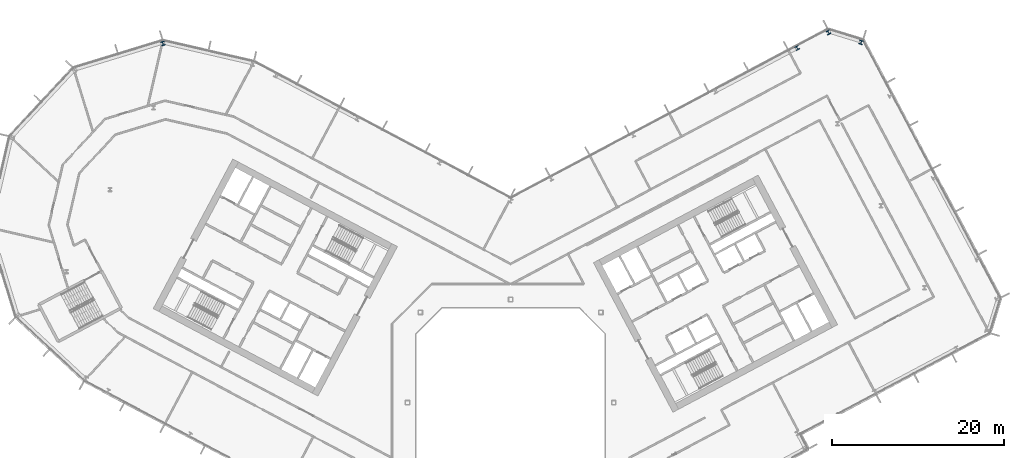
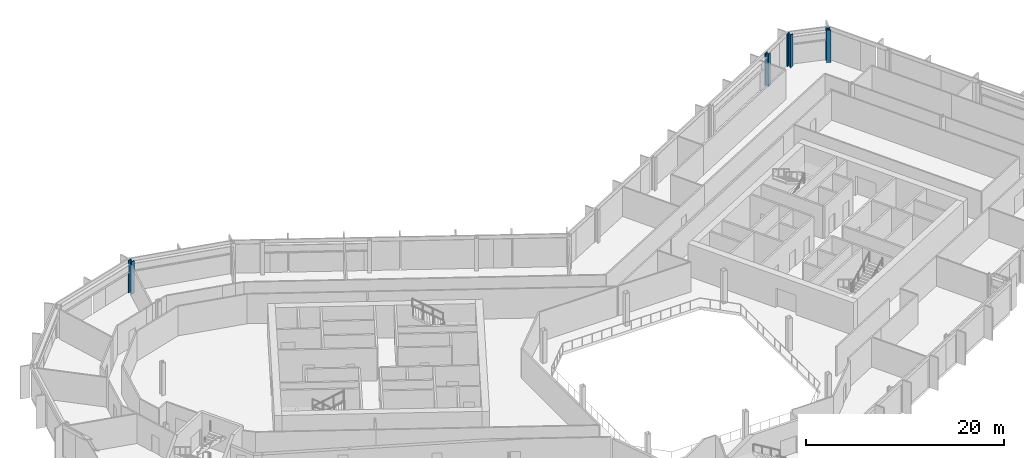
# One storey, part 8 of 28: 4 columns.
"""IFC4 building model written with IfcOpenShell, lengths in metres."""

from ifc_helpers import new_model, si_unit, direction, frame, origin, origin_2d, place, context, subcontext, project, spatial, i_section, extrude, material, material_profile, profile_set, type_object, element, save


model = new_model("IFC4")

# Units and contexts
model_context = context("Model", 3, precision=1e-05, world=origin(), true_north=direction((0.0, 1.0)))
body_context = subcontext(model_context, "Body", "Model", "MODEL_VIEW")
ifc_project = project(units=[si_unit("LENGTHUNIT", "METRE"), si_unit("AREAUNIT", "SQUARE_METRE"), si_unit("VOLUMEUNIT", "CUBIC_METRE"), si_unit("PLANEANGLEUNIT", "RADIAN"), si_unit("MASSUNIT", "GRAM", prefix="KILO")], contexts=[model_context])

# Site, building, storey
site_placement = place(None, origin())
site = spatial("IfcSite", under=ifc_project, at=site_placement, CompositionType="ELEMENT")
building_placement = place(site_placement, origin())
building = spatial("IfcBuilding", under=site, at=building_placement, Name="Cormorant Relay Tower", CompositionType="ELEMENT")
storey_placement = place(building_placement, frame((0.0, 0.0, 130.199951171875)))
storey = spatial("IfcBuildingStorey", under=building, at=storey_placement, Name="L26", CompositionType="ELEMENT", Elevation=130.199951171875)

# Columns
ifc_material_1 = material(Name="Steel ASTM A992 (Fy 345 MPa)", Category="steel")
ifc_material_profile_1 = material_profile(ifc_material_1, i_section(OverallWidth=0.41162109375, OverallDepth=0.434326171875, WebThickness=0.035888671875, FlangeThickness=0.057373046875, FilletRadius=0.01513671875, at=origin_2d()), Name="W360x463")
ifc_profile_set_1 = profile_set([ifc_material_profile_1], Name="Steel ASTM A992 (Fy 345 MPa)")
column_type_1 = type_object("IfcColumnType", Name="Column W360x463", PredefinedType="COLUMN", material=ifc_profile_set_1)
column_placement = place(storey_placement, frame((33.33203125, 41.258056640625, 0.0), z_axis=(0.0, 0.0, 1.0), x_axis=(-0.882947592859, -0.469471562786, 0.0)))
element("IfcColumn", 1, at=column_placement, inside=storey, type_object=column_type_1, Name="Column L26-047", PredefinedType="COLUMN", context=body_context, shape_type="SweptSolid", body=[
    extrude(i_section(OverallWidth=0.41162109375, OverallDepth=0.434326171875, WebThickness=0.035888671875, FlangeThickness=0.057373046875, FilletRadius=0.01513671875, at=origin_2d()), origin(), (0.0, 0.0, 1.0), 4.0),
])
ifc_material_2 = material(Name="Steel ASTM A992 (Fy 345 MPa)", Category="steel")
ifc_material_profile_2 = material_profile(ifc_material_2, i_section(OverallWidth=0.42431640625, OverallDepth=0.47509765625, WebThickness=0.0478515625, FlangeThickness=0.0771484375, FilletRadius=0.014892578125, at=origin_2d()), Name="W360x634")
ifc_profile_set_2 = profile_set([ifc_material_profile_2], Name="Steel ASTM A992 (Fy 345 MPa)")
column_type_2 = type_object("IfcColumnType", Name="Column W360x634", PredefinedType="COLUMN", material=ifc_profile_set_2)
for number, where, z_axis, x_axis, name in (
    (2, (-40.4541015625, 41.783935546875, 0.0), (0.0, 0.0, 1.0), (-0.956304755963, -0.292371704723, 0.0), "Column L26-048"),
    (3, (40.77197265625, 41.9130859375, 0.0), (0.0, 0.0, 1.0), (-0.956304755963, 0.292371704723, 0.0), "Column L26-049"),
    (4, (36.970947265625, 43.075927734375, 0.0), (0.0, 0.0, 1.0), (-0.882947592859, -0.469471562786, 0.0), "Column L26-050"),
):
    element("IfcColumn", number, at=place(storey_placement, frame(where, z_axis=z_axis, x_axis=x_axis)), inside=storey, type_object=column_type_2, Name=name, PredefinedType="COLUMN", context=body_context, shape_type="SweptSolid", body=[
        extrude(i_section(OverallWidth=0.42431640625, OverallDepth=0.47509765625, WebThickness=0.0478515625, FlangeThickness=0.0771484375, FilletRadius=0.014892578125, at=origin_2d()), origin(), (0.0, 0.0, 1.0), 4.0),
    ])

save(model, "model.ifc")
